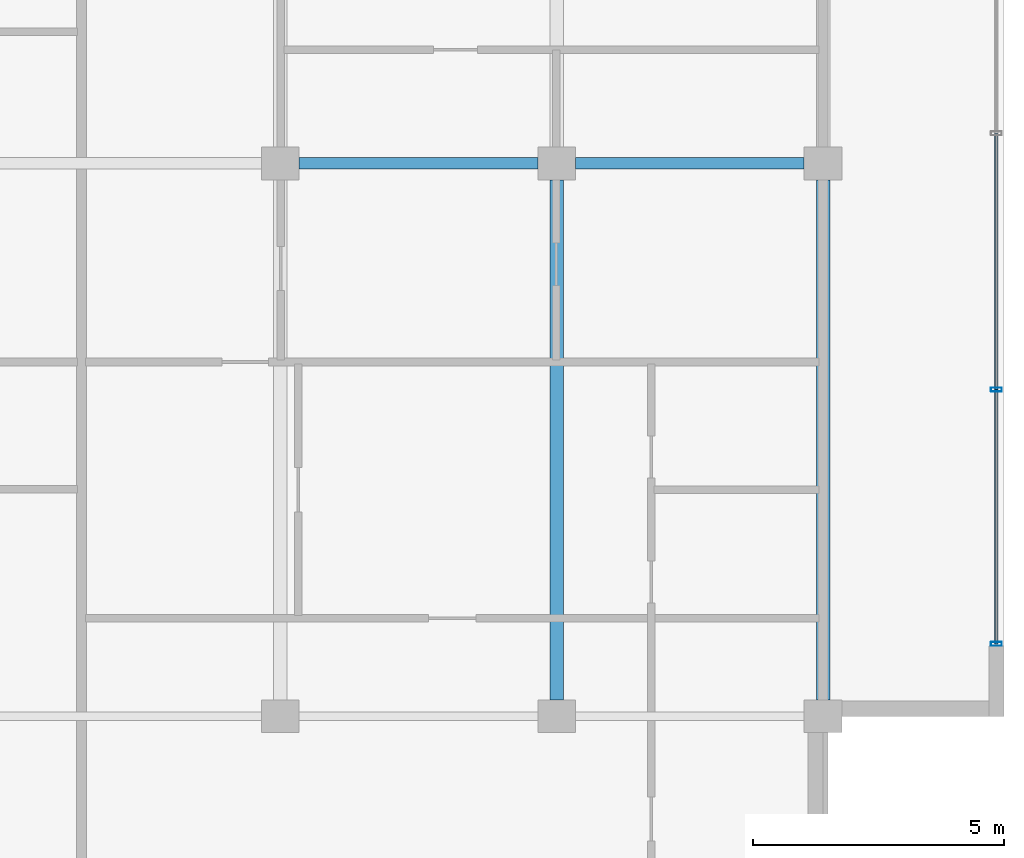
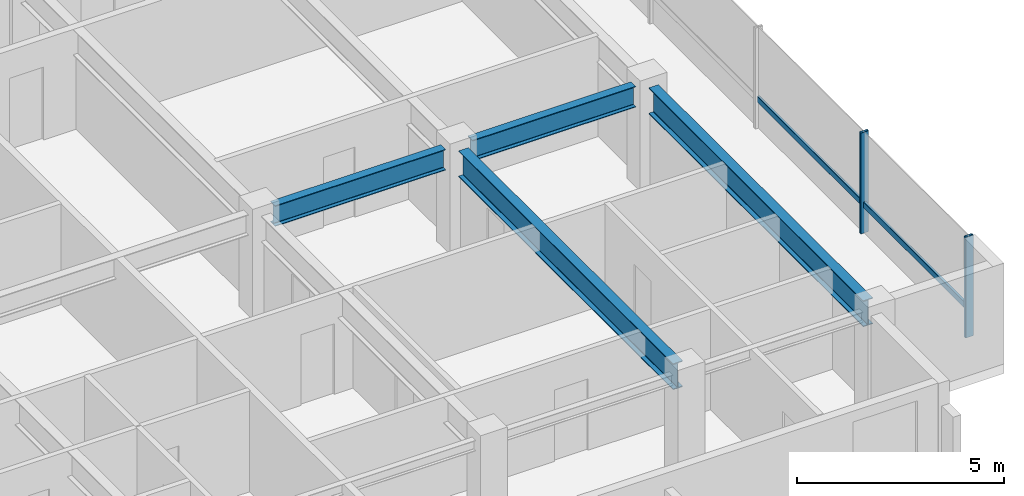
# One storey, part 8 of 30: 4 beams, 4 members, 1 element without a shape of its own.
"""IFC4 building model written with IfcOpenShell, lengths in metres."""

from ifc_helpers import new_model, si_unit, direction, frame, origin, origin_2d, place, context, subcontext, project, spatial, hollow_rectangle, i_section, extrude, material, layer, layer_set, material_profile, profile_set, type_object, element, aggregate, save


model = new_model("IFC4")

# Units and contexts
model_context = context("Model", 3, precision=1e-05, world=origin(), true_north=direction((0.0, 1.0)))
body_context = subcontext(model_context, "Body", "Model", "MODEL_VIEW")
ifc_project = project(units=[si_unit("LENGTHUNIT", "METRE"), si_unit("AREAUNIT", "SQUARE_METRE"), si_unit("VOLUMEUNIT", "CUBIC_METRE"), si_unit("PLANEANGLEUNIT", "RADIAN"), si_unit("MASSUNIT", "GRAM", prefix="KILO")], contexts=[model_context])

# Site, building, storey
site_placement = place(None, origin())
site = spatial("IfcSite", under=ifc_project, at=site_placement, CompositionType="ELEMENT")
building_placement = place(site_placement, origin())
building = spatial("IfcBuilding", under=site, at=building_placement, Name="Korimba Cascade Residences", CompositionType="ELEMENT")
storey_placement = place(building_placement, frame((0.0, 0.0, 201.10009765625)))
storey = spatial("IfcBuildingStorey", under=building, at=storey_placement, Name="L58", CompositionType="ELEMENT", Elevation=201.10009765625)

# Beams
ifc_material_1 = material(Name="Steel S355", Category="steel")
ifc_material_profile_1 = material_profile(ifc_material_1, i_section(OverallWidth=0.22900390625, OverallDepth=0.6123046875, WebThickness=0.011962890625, FlangeThickness=0.01953125, FilletRadius=0.0126953125, at=origin_2d()), Name="Steel S355")
ifc_profile_set_1 = profile_set([ifc_material_profile_1], Name="Steel S355")
beam_type_1 = type_object("IfcBeamType", Name="BM-STL-UB610B", PredefinedType="BEAM", material=ifc_profile_set_1)
beam_1_placement = place(storey_placement, frame((118.47509765625, 6.800048828125, 2.663818359375), z_axis=(1.0, 0.0, 0.0), x_axis=(0.0, 1.0, 0.0)))
element("IfcBeam", 1, at=beam_1_placement, inside=storey, type_object=beam_type_1, Name="L58 T2 E-W Girder Y2 Bay 6", PredefinedType="BEAM", context=body_context, shape_type="SweptSolid", body=[
    extrude(i_section(OverallWidth=0.22900390625, OverallDepth=0.6123046875, WebThickness=0.011962890625, FlangeThickness=0.01953125, FilletRadius=0.0126953125, at=origin_2d()), origin(), (0.0, 0.0, 1.0), 4.75),
])
beam_2_placement = place(storey_placement, frame((123.97509765625, 6.800048828125, 2.663818359375), z_axis=(1.0, 0.0, 0.0), x_axis=(0.0, 1.0, 0.0)))
element("IfcBeam", 2, at=beam_2_placement, inside=storey, type_object=beam_type_1, Name="L58 T2 E-W Girder Y2 Bay 7", PredefinedType="BEAM", context=body_context, shape_type="SweptSolid", body=[
    extrude(i_section(OverallWidth=0.22900390625, OverallDepth=0.6123046875, WebThickness=0.011962890625, FlangeThickness=0.01953125, FilletRadius=0.0126953125, at=origin_2d()), origin(), (0.0, 0.0, 1.0), 4.5498046875),
])
ifc_material_profile_2 = material_profile(ifc_material_1, i_section(OverallWidth=0.26806640625, OverallDepth=0.769775390625, WebThickness=0.015625, FlangeThickness=0.025390625, FilletRadius=0.0166015625, at=origin_2d()), Name="Steel S355")
ifc_profile_set_2 = profile_set([ifc_material_profile_2], Name="Steel S355")
beam_type_2 = type_object("IfcBeamType", Name="BM-STL-UB762", PredefinedType="BEAM", material=ifc_profile_set_2)
for number, where, z_axis, x_axis, name in (
    (3, (123.60009765625, -3.875, 2.5849609375), (0.0, 1.0, 0.0), (-1.0, 0.0, 0.0), "L58 T2 N-S Girder X7 Seg 1"),
    (4, (128.89990234375, -3.875, 2.5849609375), (0.0, 1.0, 0.0), (-1.0, 0.0, 0.0), "L58 T2 N-S Girder X8 Seg 1"),
):
    element("IfcBeam", number, at=place(storey_placement, frame(where, z_axis=z_axis, x_axis=x_axis)), inside=storey, type_object=beam_type_2, Name=name, PredefinedType="BEAM", context=body_context, shape_type="SweptSolid", body=[
        extrude(i_section(OverallWidth=0.26806640625, OverallDepth=0.769775390625, WebThickness=0.015625, FlangeThickness=0.025390625, FilletRadius=0.0166015625, at=origin_2d()), origin(), (0.0, 0.0, 1.0), 10.35009765625),
    ])

# Curtain wall, members
ifc_material_2 = material(Name="Anodised Aluminium Curtain Wall Framing", Category="aluminium")
ifc_layer = layer(ifc_material_2, 0.179931640625)
ifc_layer_set = layer_set([ifc_layer], Name="Anodised Aluminium Curtain Wall Framing")
curtain_wall_type = type_object("IfcCurtainWallType", Name="CW-SKY-SYS2", PredefinedType="NOTDEFINED", material=ifc_layer_set)
curtain_wall_placement = place(storey_placement, origin())
curtain_wall = element("IfcCurtainWall", 5, at=curtain_wall_placement, inside=storey, type_object=curtain_wall_type, Name="L58 Curtain Wall CW-L58-T2-E3", PredefinedType="NOTDEFINED")
ifc_material_3 = material(Name="Anodised Aluminium Mullion", Category="aluminium")
ifc_material_profile_3 = material_profile(ifc_material_3, hollow_rectangle(XDim=0.080078125, YDim=0.219970703125, WallThickness=0.00634765625, InnerFilletRadius=0.00634765625, OuterFilletRadius=0.0126953125, at=origin_2d()), Name="Anodised Aluminium Mullion")
ifc_profile_set_3 = profile_set([ifc_material_profile_3], Name="Anodised Aluminium Mullion")
member_type_1 = type_object("IfcMemberType", Name="CWM-MUL-220", PredefinedType="MULLION", material=ifc_profile_set_3)
member_1_placement = place(storey_placement, frame((132.35009765625, -2.760009765625, 0.0), z_axis=(0.0, 0.0, 1.0), x_axis=(0.0, 1.0, 0.0)))
member_1 = element("IfcMember", 6, at=member_1_placement, type_object=member_type_1, Name="CW-L58-T2-E3 Mullion 1", PredefinedType="MULLION", context=body_context, shape_type="SweptSolid", body=[
    extrude(hollow_rectangle(XDim=0.080078125, YDim=0.219970703125, WallThickness=0.00634765625, InnerFilletRadius=0.00634765625, OuterFilletRadius=0.0126953125, at=origin_2d()), origin(), (0.0, 0.0, 1.0), 2.969970703125),
])
member_2_placement = place(storey_placement, frame((132.35009765625, 2.300048828125, 0.0), z_axis=(0.0, 0.0, 1.0), x_axis=(0.0, 1.0, 0.0)))
member_2 = element("IfcMember", 7, at=member_2_placement, type_object=member_type_1, Name="CW-L58-T2-E3 Mullion 2", PredefinedType="MULLION", context=body_context, shape_type="SweptSolid", body=[
    extrude(hollow_rectangle(XDim=0.080078125, YDim=0.219970703125, WallThickness=0.00634765625, InnerFilletRadius=0.00634765625, OuterFilletRadius=0.0126953125, at=origin_2d()), origin(), (0.0, 0.0, 1.0), 2.969970703125),
])
ifc_material_4 = material(Name="Anodised Aluminium Transom", Category="aluminium")
ifc_material_profile_4 = material_profile(ifc_material_4, hollow_rectangle(XDim=0.070068359375, YDim=0.179931640625, WallThickness=0.0048828125, InnerFilletRadius=0.0048828125, OuterFilletRadius=0.010009765625, at=origin_2d()), Name="Anodised Aluminium Transom")
ifc_profile_set_4 = profile_set([ifc_material_profile_4], Name="Anodised Aluminium Transom")
member_type_2 = type_object("IfcMemberType", Name="CWM-TRN-150", PredefinedType="USERDEFINED", material=ifc_profile_set_4)
member_3_placement = place(storey_placement, frame((132.35009765625, -2.760009765625, 0.83154296875), z_axis=(0.0, 1.0, 0.0), x_axis=(-1.0, 0.0, 0.0)))
member_3 = element("IfcMember", 8, at=member_3_placement, type_object=member_type_2, Name="CW-L58-T2-E3 Transom 1", ObjectType="TRANSOM", PredefinedType="USERDEFINED", context=body_context, shape_type="SweptSolid", body=[
    extrude(hollow_rectangle(XDim=0.070068359375, YDim=0.179931640625, WallThickness=0.0048828125, InnerFilletRadius=0.0048828125, OuterFilletRadius=0.010009765625, at=origin_2d()), origin(), (0.0, 0.0, 1.0), 5.06005859375),
])
member_4_placement = place(storey_placement, frame((132.35009765625, 2.300048828125, 0.83154296875), z_axis=(0.0, 1.0, 0.0), x_axis=(-1.0, 0.0, 0.0)))
member_4 = element("IfcMember", 9, at=member_4_placement, type_object=member_type_2, Name="CW-L58-T2-E3 Transom 2", ObjectType="TRANSOM", PredefinedType="USERDEFINED", context=body_context, shape_type="SweptSolid", body=[
    extrude(hollow_rectangle(XDim=0.070068359375, YDim=0.179931640625, WallThickness=0.0048828125, InnerFilletRadius=0.0048828125, OuterFilletRadius=0.010009765625, at=origin_2d()), origin(), (0.0, 0.0, 1.0), 5.099853515625),
])
aggregate(curtain_wall, [member_1, member_2, member_3, member_4])

save(model, "model.ifc")
